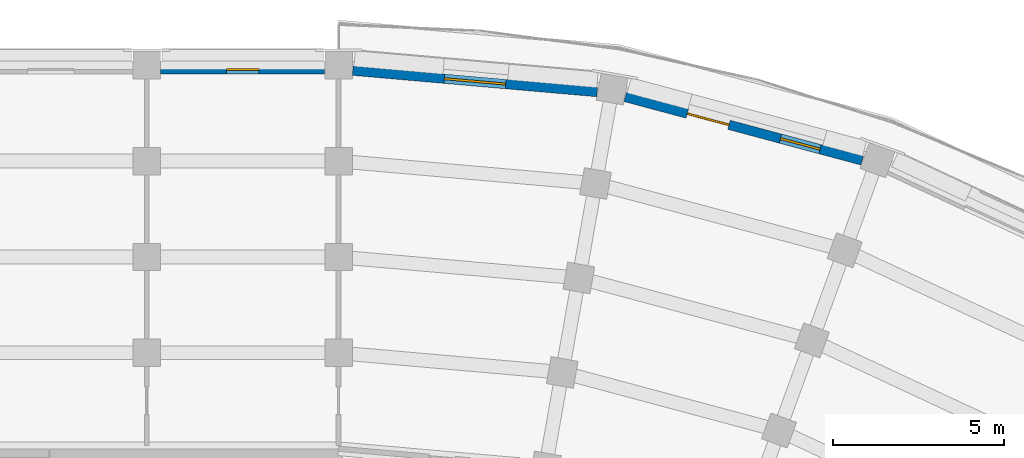
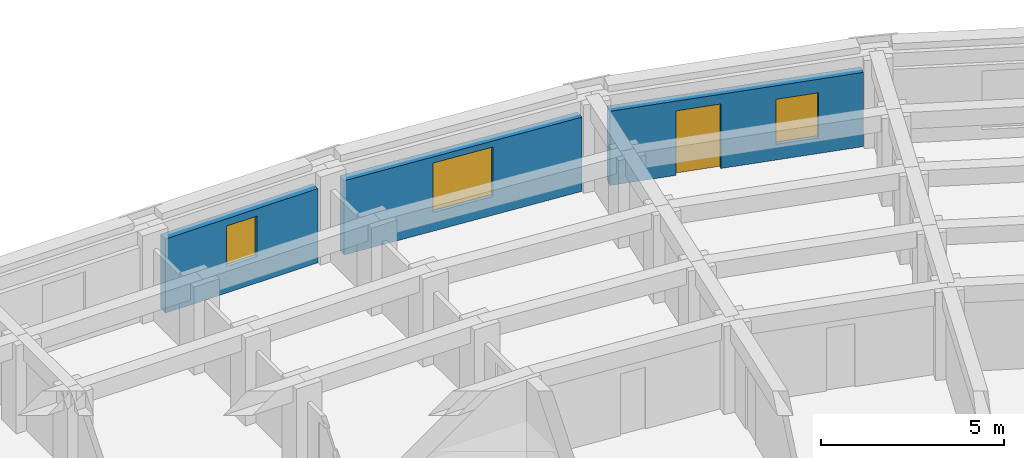
# One storey, part 56 of 76: 3 walls, 3 windows, 1 door, 4 openings.
"""IFC4 building model written with IfcOpenShell, lengths in metres."""

from ifc_helpers import new_model, si_unit, direction, frame, frame_2d, origin, place, context, subcontext, project, spatial, rectangle, extrude, material, layer, layer_set, type_object, element, fill, save


model = new_model("IFC4")

# Units and contexts
model_context = context("Model", 3, precision=1e-05, world=origin(), true_north=direction((0.0, 1.0)))
body_context = subcontext(model_context, "Body", "Model", "MODEL_VIEW")
ifc_project = project(units=[si_unit("LENGTHUNIT", "METRE"), si_unit("AREAUNIT", "SQUARE_METRE"), si_unit("VOLUMEUNIT", "CUBIC_METRE"), si_unit("PLANEANGLEUNIT", "RADIAN"), si_unit("MASSUNIT", "GRAM", prefix="KILO")], contexts=[model_context])

# Site, building, storey
site_placement = place(None, origin())
site = spatial("IfcSite", under=ifc_project, at=site_placement, CompositionType="ELEMENT")
building_placement = place(site_placement, origin())
building = spatial("IfcBuilding", under=site, at=building_placement, Name="Kiranvali Square Residences", CompositionType="ELEMENT")
storey_placement = place(building_placement, frame((0.0, 0.0, 8.699951171875)))
storey = spatial("IfcBuildingStorey", under=building, at=storey_placement, Name="L02", CompositionType="ELEMENT", Elevation=8.699951171875)

# Wall, opening, window
ifc_material_1 = material(Name="Breathable lime-rendered clay brick masonry", Category="masonry")
ifc_layer = layer(ifc_material_1, 0.27490234375)
ifc_layer_set = layer_set([ifc_layer], Name="Breathable lime-rendered clay brick masonry")
wall_type = type_object("IfcWallType", Name="WL-EXT-275", PredefinedType="STANDARD", material=ifc_layer_set)
wall_1_placement = place(storey_placement, frame((120.214599609375, 133.63818359375, 0.0), z_axis=(0.0, 0.0, 1.0), x_axis=(0.99619608453, -0.08713989423, 0.0)))
wall_1 = element("IfcWall", 1, at=wall_1_placement, inside=storey, type_object=wall_type, Name="L02 exterior wall B-L02-CRV-00", PredefinedType="STANDARD", context=body_context, shape_type="SweptSolid", body=[
    extrude(rectangle(XDim=7.1640625, YDim=0.27490234375, at=frame_2d((3.58203125, 0.0))), origin(), (0.0, 0.0, 1.0), 2.47216796875),
])
opening_1_placement = place(wall_1_placement, frame((2.68212890625, 0.0, 0.6220703125)))
opening_1 = element("IfcOpeningElement", 2, at=opening_1_placement, cuts=wall_1, Name="Opening W-04", PredefinedType="OPENING", context=body_context, shape_type="SweptSolid", body=[
    extrude(rectangle(XDim=1.800048828125, YDim=1.64990234375, at=frame_2d((0.89990234375, 0.824951171875))), frame((0.0, 0.1474609375, 0.0), z_axis=(0.0, -1.0, 0.0), x_axis=(1.0, 0.0, 0.0)), (0.0, 0.0, 1.0), 0.294921875),
])
ifc_material_2 = material(Name="Solar-control low-e double glazing", Category="glass")
window_type_1 = type_object("IfcWindowType", Name="WIN-RES-1800x1650", PartitioningType="DOUBLE_PANEL_VERTICAL", PredefinedType="WINDOW", material=ifc_material_2)
window_1_placement = place(opening_1_placement, origin())
window_1 = element("IfcWindow", 3, at=window_1_placement, inside=storey, type_object=window_type_1, Name="L02 recessed window B-L02-CRV-00", OverallHeight=1.64990234375, OverallWidth=1.800048828125, PartitioningType="DOUBLE_PANEL_VERTICAL", PredefinedType="WINDOW", context=body_context, shape_type="SweptSolid", body=[
    extrude(rectangle(XDim=1.800048828125, YDim=1.64990234375, at=frame_2d((0.89990234375, 0.824951171875))), frame((0.0, 0.030029296875, 0.0), z_axis=(0.0, -1.0, 0.0), x_axis=(1.0, 0.0, 0.0)), (0.0, 0.0, 1.0), 0.06005859375),
])
fill(opening_1, window_1)

# Wall, openings, door, window
wall_2_placement = place(storey_placement, frame((128.16796875, 132.869873046875, 0.0), z_axis=(0.0, 0.0, 1.0), x_axis=(0.965923712619, -0.258826933296, 0.0)))
wall_2 = element("IfcWall", 4, at=wall_2_placement, inside=storey, type_object=wall_type, Name="L02 exterior wall B-L02-CRV-01", PredefinedType="STANDARD", context=body_context, shape_type="SweptSolid", body=[
    extrude(rectangle(XDim=7.1640625, YDim=0.27490234375, at=frame_2d((3.58203125, 0.0))), origin(), (0.0, 0.0, 1.0), 2.47216796875),
])
opening_2_placement = place(wall_2_placement, frame((4.6904296875, 0.0, 0.52197265625)))
opening_2 = element("IfcOpeningElement", 5, at=opening_2_placement, cuts=wall_2, Name="Opening W-06", PredefinedType="OPENING", context=body_context, shape_type="SweptSolid", body=[
    extrude(rectangle(XDim=1.199951171875, YDim=1.5, at=frame_2d((0.60009765625, 0.75))), frame((0.0, 0.1474609375, 0.0), z_axis=(0.0, -1.0, 0.0), x_axis=(1.0, 0.0, 0.0)), (0.0, 0.0, 1.0), 0.294921875),
])
opening_3_placement = place(wall_2_placement, frame((1.87744140625, 0.0, 0.0)))
opening_3 = element("IfcOpeningElement", 6, at=opening_3_placement, cuts=wall_2, Name="Opening ED-BAL-2", PredefinedType="OPENING", context=body_context, shape_type="SweptSolid", body=[
    extrude(rectangle(XDim=1.260009765625, YDim=2.14990234375, at=frame_2d((0.6298828125, 1.074951171875))), frame((0.0, 0.1474609375, 0.0), z_axis=(0.0, -1.0, 0.0), x_axis=(1.0, 0.0, 0.0)), (0.0, 0.0, 1.0), 0.294921875),
])
ifc_material_3 = material(Name="Anodised bronze aluminium framing", Category="aluminium")
door_type = type_object("IfcDoorType", Name="DR-BAL-1260", OperationType="NOTDEFINED", PredefinedType="DOOR", material=ifc_material_3)
door_placement = place(opening_3_placement, origin())
door = element("IfcDoor", 7, at=door_placement, inside=storey, type_object=door_type, Name="L02 balcony terrace door", OperationType="SINGLE_SWING_LEFT", OverallHeight=2.14990234375, OverallWidth=1.260009765625, PredefinedType="DOOR", context=body_context, shape_type="SweptSolid", body=[
    extrude(rectangle(XDim=1.260009765625, YDim=2.14990234375, at=frame_2d((0.6298828125, 1.074951171875))), frame((0.0, 0.02490234375, 0.0), z_axis=(0.0, -1.0, 0.0), x_axis=(1.0, 0.0, 0.0)), (0.0, 0.0, 1.0), 0.050048828125),
])
fill(opening_3, door)
window_type_2 = type_object("IfcWindowType", Name="WIN-RES-1200x1500", PartitioningType="SINGLE_PANEL", PredefinedType="WINDOW", material=ifc_material_2)
window_2_placement = place(opening_2_placement, origin())
window_2 = element("IfcWindow", 8, at=window_2_placement, inside=storey, type_object=window_type_2, Name="L02 recessed window B-L02-CRV-01", OverallHeight=1.5, OverallWidth=1.199951171875, PartitioningType="SINGLE_PANEL", PredefinedType="WINDOW", context=body_context, shape_type="SweptSolid", body=[
    extrude(rectangle(XDim=1.199951171875, YDim=1.5, at=frame_2d((0.60009765625, 0.75))), frame((0.0, 0.030029296875, 0.0), z_axis=(0.0, -1.0, 0.0), x_axis=(1.0, 0.0, 0.0)), (0.0, 0.0, 1.0), 0.06005859375),
])
fill(opening_2, window_2)

# Wall, opening, window
wall_3_placement = place(storey_placement, frame((119.396484375, 133.675048828125, 0.0), z_axis=(0.0, 0.0, 1.0), x_axis=(-1.0, 0.0, 0.0)))
wall_3 = element("IfcWall", 9, at=wall_3_placement, inside=storey, type_object=wall_type, Name="L02 exterior wall B-L02-A1O-0", PredefinedType="STANDARD", context=body_context, shape_type="SweptSolid", body=[
    extrude(rectangle(XDim=4.79296875, YDim=0.27490234375, at=frame_2d((2.396484375, 0.0))), origin(), (0.0, 0.0, 1.0), 2.47216796875),
])
opening_4_placement = place(wall_3_placement, frame((1.92138671875, 0.0, 0.8798828125)))
opening_4 = element("IfcOpeningElement", 10, at=opening_4_placement, cuts=wall_3, Name="Opening W-16", PredefinedType="OPENING", context=body_context, shape_type="SweptSolid", body=[
    extrude(rectangle(XDim=0.949951171875, YDim=1.35009765625, at=frame_2d((0.47509765625, 0.675048828125))), frame((0.0, 0.1474609375, 0.0), z_axis=(0.0, -1.0, 0.0), x_axis=(1.0, 0.0, 0.0)), (0.0, 0.0, 1.0), 0.294921875),
])
window_type_3 = type_object("IfcWindowType", Name="WIN-RES-950x1350", PartitioningType="SINGLE_PANEL", PredefinedType="WINDOW", material=ifc_material_2)
window_3_placement = place(opening_4_placement, origin())
window_3 = element("IfcWindow", 11, at=window_3_placement, inside=storey, type_object=window_type_3, Name="L02 recessed window B-L02-A1O-0", OverallHeight=1.35009765625, OverallWidth=0.949951171875, PartitioningType="SINGLE_PANEL", PredefinedType="WINDOW", context=body_context, shape_type="SweptSolid", body=[
    extrude(rectangle(XDim=0.949951171875, YDim=1.35009765625, at=frame_2d((0.47509765625, 0.675048828125))), frame((0.0, 0.030029296875, 0.0), z_axis=(0.0, -1.0, 0.0), x_axis=(1.0, 0.0, 0.0)), (0.0, 0.0, 1.0), 0.06005859375),
])
fill(opening_4, window_3)

save(model, "model.ifc")
